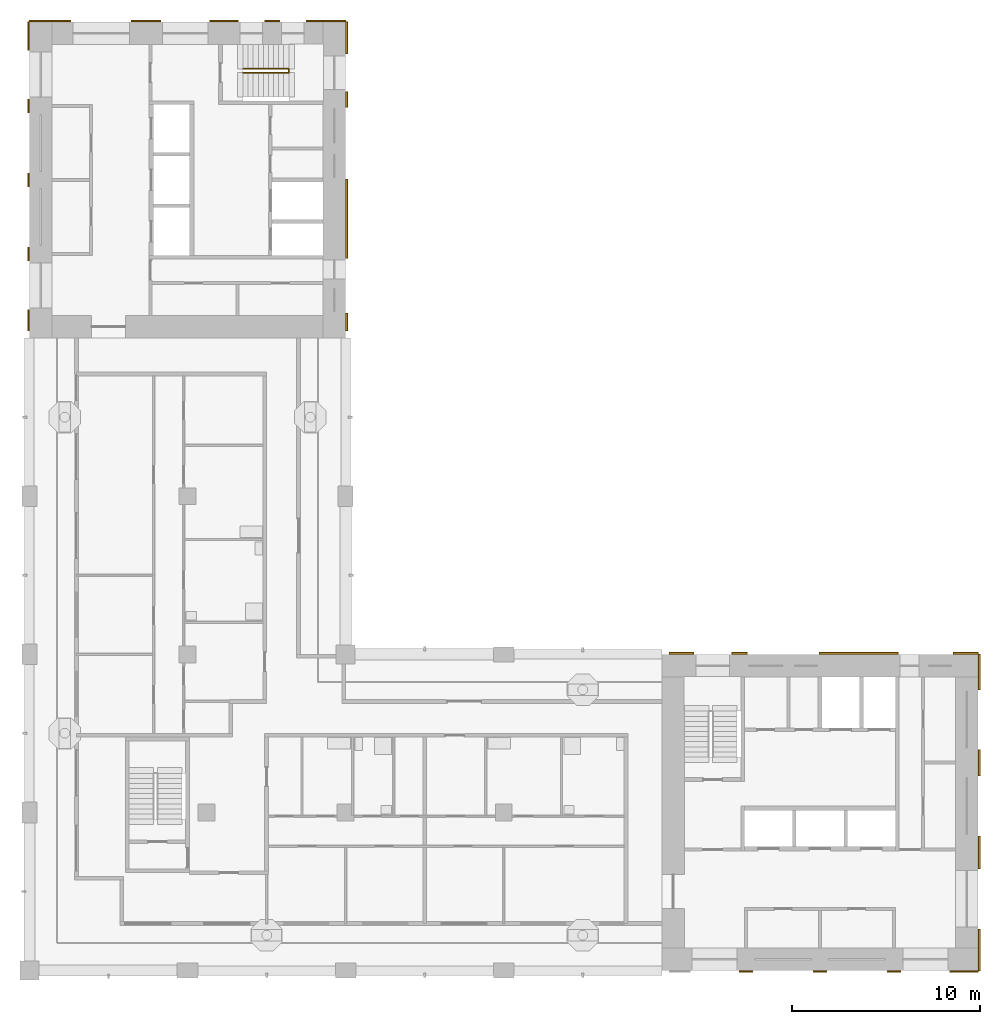
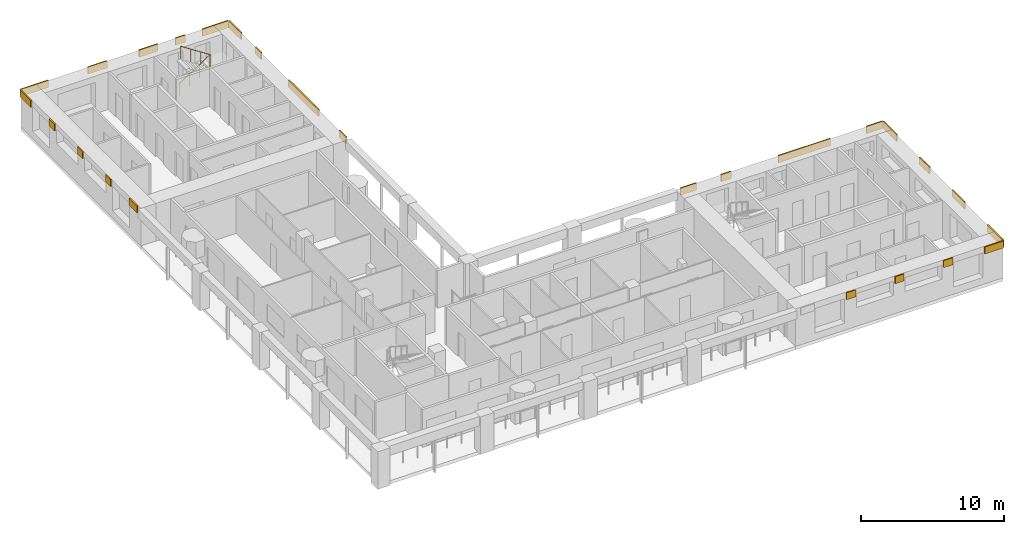
# One storey, part 8 of 11: 26 shading devices, 1 railing.
"""IFC4 building model written with IfcOpenShell, lengths in metres."""

from ifc_helpers import new_model, si_unit, direction, frame, origin, origin_2d, place, context, subcontext, project, spatial, rectangle, circle, extrude, material, layer, layer_set, type_object, element, save


model = new_model("IFC4")

# Units and contexts
model_context = context("Model", 3, precision=1e-05, world=origin(), true_north=direction((0.0, 1.0)))
body_context = subcontext(model_context, "Body", "Model", "MODEL_VIEW")
ifc_project = project(units=[si_unit("LENGTHUNIT", "METRE"), si_unit("AREAUNIT", "SQUARE_METRE"), si_unit("VOLUMEUNIT", "CUBIC_METRE"), si_unit("PLANEANGLEUNIT", "RADIAN"), si_unit("MASSUNIT", "GRAM", prefix="KILO")], contexts=[model_context])

# Site, building, storey
site_placement = place(None, origin())
site = spatial("IfcSite", under=ifc_project, at=site_placement, CompositionType="ELEMENT")
building_placement = place(site_placement, origin())
building = spatial("IfcBuilding", under=site, at=building_placement, Name="Vermilion Gate Residences", CompositionType="ELEMENT")
storey_placement = place(building_placement, frame((0.0, 0.0, 263.199951171875)))
storey = spatial("IfcBuildingStorey", under=building, at=storey_placement, Name="L69", CompositionType="ELEMENT", Elevation=263.199951171875)

# Railing
ifc_material_1 = material(Name="Steel S355", Category="steel")
railing_type = type_object("IfcRailingType", Name="STAIR GUARD 1100 STEEL", PredefinedType="GUARDRAIL", material=ifc_material_1)
railing_placement = place(storey_placement, frame((19.75, 56.300048828125, 0.175048828125)))
element("IfcRailing", 1, at=railing_placement, inside=storey, type_object=railing_type, Name="Stair well guard STB1-69", PredefinedType="GUARDRAIL", context=body_context, shape_type="SweptSolid", body=[
    extrude(circle(Radius=0.02392578125, at=origin_2d()), frame((0.0, 0.0, 1.076171875), z_axis=(0.839153699163, 0.0, 0.543894354798), x_axis=(0.0, 1.0, 0.0)), (0.0, 0.0, 1.0), 2.895751953125),
    extrude(circle(Radius=0.02392578125, at=origin_2d()), frame((2.429931640625, 0.0, 2.65087890625), z_axis=(0.0, -0.752405939678, 0.658699705433), x_axis=(1.0, 0.0, 0.0)), (0.0, 0.0, 1.0), 0.265869140625),
    extrude(circle(Radius=0.02392578125, at=origin_2d()), frame((2.429931640625, -0.199951171875, 2.826171875), z_axis=(-0.839153699163, 0.0, 0.543894354798), x_axis=(0.0, -1.0, 0.0)), (0.0, 0.0, 1.0), 2.895751953125),
    extrude(circle(Radius=0.02099609375, at=origin_2d()), origin(), (0.0, 0.0, 1.0), 1.052001953125),
    extrude(circle(Radius=0.02099609375, at=origin_2d()), frame((0.81005859375, 0.0, 0.52490234375)), (0.0, 0.0, 1.0), 1.052001953125),
    extrude(circle(Radius=0.02099609375, at=origin_2d()), frame((1.619873046875, 0.0, 1.050048828125)), (0.0, 0.0, 1.0), 1.052001953125),
    extrude(circle(Radius=0.02099609375, at=origin_2d()), frame((2.429931640625, 0.0, 1.574951171875)), (0.0, 0.0, 1.0), 1.052001953125),
    extrude(circle(Radius=0.02099609375, at=origin_2d()), frame((2.429931640625, -0.199951171875, 1.75)), (0.0, 0.0, 1.0), 1.052001953125),
    extrude(circle(Radius=0.02099609375, at=origin_2d()), frame((1.619873046875, -0.199951171875, 2.27490234375)), (0.0, 0.0, 1.0), 1.052001953125),
    extrude(circle(Radius=0.02099609375, at=origin_2d()), frame((0.81005859375, -0.199951171875, 2.800048828125)), (0.0, 0.0, 1.0), 1.052001953125),
    extrude(circle(Radius=0.02099609375, at=origin_2d()), frame((0.0, -0.199951171875, 3.324951171875)), (0.0, 0.0, 1.0), 1.052001953125),
])

# Shading devices
ifc_material_2 = material(Name="Extruded terracotta", Category="masonry")
ifc_layer = layer(ifc_material_2, 0.10009765625)
ifc_layer_set = layer_set([ifc_layer], Name="TERRACOTTA SPANDREL BAND 600 X 100")
shading_device_type = type_object("IfcShadingDeviceType", Name="TERRACOTTA SPANDREL BAND 600 X 100", PredefinedType="USERDEFINED", material=ifc_layer_set)
shading_device_1_placement = place(storey_placement, frame((46.46875, 8.35009765625, 2.6201171875), z_axis=(0.0, 0.0, 1.0), x_axis=(1.0, 0.0, 0.0)))
element("IfcShadingDevice", 2, at=shading_device_1_placement, inside=storey, type_object=shading_device_type, Name="SPANDREL BAND", ObjectType="BAND", PredefinedType="USERDEFINED", context=body_context, shape_type="SweptSolid", body=[
    extrude(rectangle(XDim=0.737548828125, YDim=0.10009765625, at=origin_2d()), origin(), (0.0, 0.0, 1.0), 0.60009765625),
])
shading_device_2_placement = place(storey_placement, frame((50.39990234375, 8.35009765625, 2.6201171875), z_axis=(0.0, 0.0, 1.0), x_axis=(1.0, 0.0, 0.0)))
element("IfcShadingDevice", 3, at=shading_device_2_placement, inside=storey, type_object=shading_device_type, Name="SPANDREL BAND", ObjectType="BAND", PredefinedType="USERDEFINED", context=body_context, shape_type="SweptSolid", body=[
    extrude(rectangle(XDim=0.72509765625, YDim=0.10009765625, at=origin_2d()), origin(), (0.0, 0.0, 1.0), 0.60009765625),
])
shading_device_3_placement = place(storey_placement, frame((54.331298828125, 8.35009765625, 2.6201171875), z_axis=(0.0, 0.0, 1.0), x_axis=(1.0, 0.0, 0.0)))
element("IfcShadingDevice", 4, at=shading_device_3_placement, inside=storey, type_object=shading_device_type, Name="SPANDREL BAND", ObjectType="BAND", PredefinedType="USERDEFINED", context=body_context, shape_type="SweptSolid", body=[
    extrude(rectangle(XDim=0.737548828125, YDim=0.10009765625, at=origin_2d()), origin(), (0.0, 0.0, 1.0), 0.60009765625),
])
shading_device_4_placement = place(storey_placement, frame((58.050048828125, 8.35009765625, 2.6201171875), z_axis=(0.0, 0.0, 1.0), x_axis=(1.0, 0.0, 0.0)))
element("IfcShadingDevice", 5, at=shading_device_4_placement, inside=storey, type_object=shading_device_type, Name="SPANDREL BAND", ObjectType="BAND", PredefinedType="USERDEFINED", context=body_context, shape_type="SweptSolid", body=[
    extrude(rectangle(XDim=1.5, YDim=0.10009765625, at=origin_2d()), origin(), (0.0, 0.0, 1.0), 0.60009765625),
])
shading_device_5_placement = place(storey_placement, frame((43.050048828125, 25.25, 2.6201171875), z_axis=(0.0, 0.0, 1.0), x_axis=(1.0, 0.0, 0.0)))
element("IfcShadingDevice", 6, at=shading_device_5_placement, inside=storey, type_object=shading_device_type, Name="SPANDREL BAND", ObjectType="BAND", PredefinedType="USERDEFINED", context=body_context, shape_type="SweptSolid", body=[
    extrude(rectangle(XDim=1.300048828125, YDim=0.10009765625, at=origin_2d()), origin(), (0.0, 0.0, 1.0), 0.60009765625),
])
shading_device_6_placement = place(storey_placement, frame((46.112548828125, 25.25, 2.6201171875), z_axis=(0.0, 0.0, 1.0), x_axis=(1.0, 0.0, 0.0)))
element("IfcShadingDevice", 7, at=shading_device_6_placement, inside=storey, type_object=shading_device_type, Name="SPANDREL BAND", ObjectType="BAND", PredefinedType="USERDEFINED", context=body_context, shape_type="SweptSolid", body=[
    extrude(rectangle(XDim=0.824951171875, YDim=0.10009765625, at=origin_2d()), origin(), (0.0, 0.0, 1.0), 0.60009765625),
])
shading_device_7_placement = place(storey_placement, frame((52.449951171875, 25.25, 2.6201171875), z_axis=(0.0, 0.0, 1.0), x_axis=(1.0, 0.0, 0.0)))
element("IfcShadingDevice", 8, at=shading_device_7_placement, inside=storey, type_object=shading_device_type, Name="SPANDREL BAND", ObjectType="BAND", PredefinedType="USERDEFINED", context=body_context, shape_type="SweptSolid", body=[
    extrude(rectangle(XDim=4.199951171875, YDim=0.10009765625, at=origin_2d()), origin(), (0.0, 0.0, 1.0), 0.60009765625),
])
shading_device_8_placement = place(storey_placement, frame((58.137451171875, 25.25, 2.6201171875), z_axis=(0.0, 0.0, 1.0), x_axis=(1.0, 0.0, 0.0)))
element("IfcShadingDevice", 9, at=shading_device_8_placement, inside=storey, type_object=shading_device_type, Name="SPANDREL BAND", ObjectType="BAND", PredefinedType="USERDEFINED", context=body_context, shape_type="SweptSolid", body=[
    extrude(rectangle(XDim=1.324951171875, YDim=0.10009765625, at=origin_2d()), origin(), (0.0, 0.0, 1.0), 0.60009765625),
])
shading_device_9_placement = place(storey_placement, frame((58.85009765625, 9.50244140625, 2.6201171875), z_axis=(0.0, 0.0, 1.0), x_axis=(0.0, 1.0, 0.0)))
element("IfcShadingDevice", 10, at=shading_device_9_placement, inside=storey, type_object=shading_device_type, Name="SPANDREL BAND", ObjectType="BAND", PredefinedType="USERDEFINED", context=body_context, shape_type="SweptSolid", body=[
    extrude(rectangle(XDim=2.205078125, YDim=0.10009765625, at=origin_2d()), origin(), (0.0, 0.0, 1.0), 0.60009765625),
])
shading_device_10_placement = place(storey_placement, frame((58.85009765625, 14.67138671875, 2.6201171875), z_axis=(0.0, 0.0, 1.0), x_axis=(0.0, 1.0, 0.0)))
element("IfcShadingDevice", 11, at=shading_device_10_placement, inside=storey, type_object=shading_device_type, Name="SPANDREL BAND", ObjectType="BAND", PredefinedType="USERDEFINED", context=body_context, shape_type="SweptSolid", body=[
    extrude(rectangle(XDim=1.732421875, YDim=0.10009765625, at=origin_2d()), origin(), (0.0, 0.0, 1.0), 0.60009765625),
])
shading_device_11_placement = place(storey_placement, frame((58.85009765625, 19.43505859375, 2.6201171875), z_axis=(0.0, 0.0, 1.0), x_axis=(0.0, 1.0, 0.0)))
element("IfcShadingDevice", 12, at=shading_device_11_placement, inside=storey, type_object=shading_device_type, Name="SPANDREL BAND", ObjectType="BAND", PredefinedType="USERDEFINED", context=body_context, shape_type="SweptSolid", body=[
    extrude(rectangle(XDim=1.39501953125, YDim=0.10009765625, at=origin_2d()), origin(), (0.0, 0.0, 1.0), 0.60009765625),
])
shading_device_12_placement = place(storey_placement, frame((58.85009765625, 24.26611328125, 2.6201171875), z_axis=(0.0, 0.0, 1.0), x_axis=(0.0, 1.0, 0.0)))
element("IfcShadingDevice", 13, at=shading_device_12_placement, inside=storey, type_object=shading_device_type, Name="SPANDREL BAND", ObjectType="BAND", PredefinedType="USERDEFINED", context=body_context, shape_type="SweptSolid", body=[
    extrude(rectangle(XDim=1.867431640625, YDim=0.10009765625, at=origin_2d()), origin(), (0.0, 0.0, 1.0), 0.60009765625),
])
shading_device_13_placement = place(storey_placement, frame((9.50244140625, 58.85009765625, 2.6201171875), z_axis=(0.0, 0.0, 1.0), x_axis=(1.0, 0.0, 0.0)))
element("IfcShadingDevice", 14, at=shading_device_13_placement, inside=storey, type_object=shading_device_type, Name="SPANDREL BAND", ObjectType="BAND", PredefinedType="USERDEFINED", context=body_context, shape_type="SweptSolid", body=[
    extrude(rectangle(XDim=2.205078125, YDim=0.10009765625, at=origin_2d()), origin(), (0.0, 0.0, 1.0), 0.60009765625),
])
shading_device_14_placement = place(storey_placement, frame((14.590087890625, 58.85009765625, 2.6201171875), z_axis=(0.0, 0.0, 1.0), x_axis=(1.0, 0.0, 0.0)))
element("IfcShadingDevice", 15, at=shading_device_14_placement, inside=storey, type_object=shading_device_type, Name="SPANDREL BAND", ObjectType="BAND", PredefinedType="USERDEFINED", context=body_context, shape_type="SweptSolid", body=[
    extrude(rectangle(XDim=1.570068359375, YDim=0.10009765625, at=origin_2d()), origin(), (0.0, 0.0, 1.0), 0.60009765625),
])
shading_device_15_placement = place(storey_placement, frame((18.734130859375, 58.85009765625, 2.6201171875), z_axis=(0.0, 0.0, 1.0), x_axis=(1.0, 0.0, 0.0)))
element("IfcShadingDevice", 16, at=shading_device_15_placement, inside=storey, type_object=shading_device_type, Name="SPANDREL BAND", ObjectType="BAND", PredefinedType="USERDEFINED", context=body_context, shape_type="SweptSolid", body=[
    extrude(rectangle(XDim=1.518310546875, YDim=0.10009765625, at=origin_2d()), origin(), (0.0, 0.0, 1.0), 0.60009765625),
])
shading_device_16_placement = place(storey_placement, frame((21.294921875, 58.85009765625, 2.6201171875), z_axis=(0.0, 0.0, 1.0), x_axis=(1.0, 0.0, 0.0)))
element("IfcShadingDevice", 17, at=shading_device_16_placement, inside=storey, type_object=shading_device_type, Name="SPANDREL BAND", ObjectType="BAND", PredefinedType="USERDEFINED", context=body_context, shape_type="SweptSolid", body=[
    extrude(rectangle(XDim=0.803466796875, YDim=0.10009765625, at=origin_2d()), origin(), (0.0, 0.0, 1.0), 0.60009765625),
])
shading_device_17_placement = place(storey_placement, frame((24.1484375, 58.85009765625, 2.6201171875), z_axis=(0.0, 0.0, 1.0), x_axis=(1.0, 0.0, 0.0)))
element("IfcShadingDevice", 18, at=shading_device_17_placement, inside=storey, type_object=shading_device_type, Name="SPANDREL BAND", ObjectType="BAND", PredefinedType="USERDEFINED", context=body_context, shape_type="SweptSolid", body=[
    extrude(rectangle(XDim=2.103271484375, YDim=0.10009765625, at=origin_2d()), origin(), (0.0, 0.0, 1.0), 0.60009765625),
])
shading_device_18_placement = place(storey_placement, frame((8.35009765625, 42.949951171875, 2.6201171875), z_axis=(0.0, 0.0, 1.0), x_axis=(0.0, 1.0, 0.0)))
element("IfcShadingDevice", 19, at=shading_device_18_placement, inside=storey, type_object=shading_device_type, Name="SPANDREL BAND", ObjectType="BAND", PredefinedType="USERDEFINED", context=body_context, shape_type="SweptSolid", body=[
    extrude(rectangle(XDim=1.10009765625, YDim=0.10009765625, at=origin_2d()), origin(), (0.0, 0.0, 1.0), 0.60009765625),
])
shading_device_19_placement = place(storey_placement, frame((8.35009765625, 46.46875, 2.6201171875), z_axis=(0.0, 0.0, 1.0), x_axis=(0.0, 1.0, 0.0)))
element("IfcShadingDevice", 20, at=shading_device_19_placement, inside=storey, type_object=shading_device_type, Name="SPANDREL BAND", ObjectType="BAND", PredefinedType="USERDEFINED", context=body_context, shape_type="SweptSolid", body=[
    extrude(rectangle(XDim=0.737548828125, YDim=0.10009765625, at=origin_2d()), origin(), (0.0, 0.0, 1.0), 0.60009765625),
])
shading_device_20_placement = place(storey_placement, frame((8.35009765625, 50.39990234375, 2.6201171875), z_axis=(0.0, 0.0, 1.0), x_axis=(0.0, 1.0, 0.0)))
element("IfcShadingDevice", 21, at=shading_device_20_placement, inside=storey, type_object=shading_device_type, Name="SPANDREL BAND", ObjectType="BAND", PredefinedType="USERDEFINED", context=body_context, shape_type="SweptSolid", body=[
    extrude(rectangle(XDim=0.72509765625, YDim=0.10009765625, at=origin_2d()), origin(), (0.0, 0.0, 1.0), 0.60009765625),
])
shading_device_21_placement = place(storey_placement, frame((8.35009765625, 54.331298828125, 2.6201171875), z_axis=(0.0, 0.0, 1.0), x_axis=(0.0, 1.0, 0.0)))
element("IfcShadingDevice", 22, at=shading_device_21_placement, inside=storey, type_object=shading_device_type, Name="SPANDREL BAND", ObjectType="BAND", PredefinedType="USERDEFINED", context=body_context, shape_type="SweptSolid", body=[
    extrude(rectangle(XDim=0.737548828125, YDim=0.10009765625, at=origin_2d()), origin(), (0.0, 0.0, 1.0), 0.60009765625),
])
shading_device_22_placement = place(storey_placement, frame((8.35009765625, 58.050048828125, 2.6201171875), z_axis=(0.0, 0.0, 1.0), x_axis=(0.0, 1.0, 0.0)))
element("IfcShadingDevice", 23, at=shading_device_22_placement, inside=storey, type_object=shading_device_type, Name="SPANDREL BAND", ObjectType="BAND", PredefinedType="USERDEFINED", context=body_context, shape_type="SweptSolid", body=[
    extrude(rectangle(XDim=1.5, YDim=0.10009765625, at=origin_2d()), origin(), (0.0, 0.0, 1.0), 0.60009765625),
])
shading_device_23_placement = place(storey_placement, frame((25.25, 42.862548828125, 2.6201171875), z_axis=(0.0, 0.0, 1.0), x_axis=(0.0, 1.0, 0.0)))
element("IfcShadingDevice", 24, at=shading_device_23_placement, inside=storey, type_object=shading_device_type, Name="SPANDREL BAND", ObjectType="BAND", PredefinedType="USERDEFINED", context=body_context, shape_type="SweptSolid", body=[
    extrude(rectangle(XDim=0.925048828125, YDim=0.10009765625, at=origin_2d()), origin(), (0.0, 0.0, 1.0), 0.60009765625),
])
shading_device_24_placement = place(storey_placement, frame((25.25, 48.35009765625, 2.6201171875), z_axis=(0.0, 0.0, 1.0), x_axis=(0.0, 1.0, 0.0)))
element("IfcShadingDevice", 25, at=shading_device_24_placement, inside=storey, type_object=shading_device_type, Name="SPANDREL BAND", ObjectType="BAND", PredefinedType="USERDEFINED", context=body_context, shape_type="SweptSolid", body=[
    extrude(rectangle(XDim=4.199951171875, YDim=0.10009765625, at=origin_2d()), origin(), (0.0, 0.0, 1.0), 0.60009765625),
])
shading_device_25_placement = place(storey_placement, frame((25.25, 54.6875, 2.6201171875), z_axis=(0.0, 0.0, 1.0), x_axis=(0.0, 1.0, 0.0)))
element("IfcShadingDevice", 26, at=shading_device_25_placement, inside=storey, type_object=shading_device_type, Name="SPANDREL BAND", ObjectType="BAND", PredefinedType="USERDEFINED", context=body_context, shape_type="SweptSolid", body=[
    extrude(rectangle(XDim=0.824951171875, YDim=0.10009765625, at=origin_2d()), origin(), (0.0, 0.0, 1.0), 0.60009765625),
])
shading_device_26_placement = place(storey_placement, frame((25.25, 57.949951171875, 2.6201171875), z_axis=(0.0, 0.0, 1.0), x_axis=(0.0, 1.0, 0.0)))
element("IfcShadingDevice", 27, at=shading_device_26_placement, inside=storey, type_object=shading_device_type, Name="SPANDREL BAND", ObjectType="BAND", PredefinedType="USERDEFINED", context=body_context, shape_type="SweptSolid", body=[
    extrude(rectangle(XDim=1.699951171875, YDim=0.10009765625, at=origin_2d()), origin(), (0.0, 0.0, 1.0), 0.60009765625),
])

save(model, "model.ifc")
